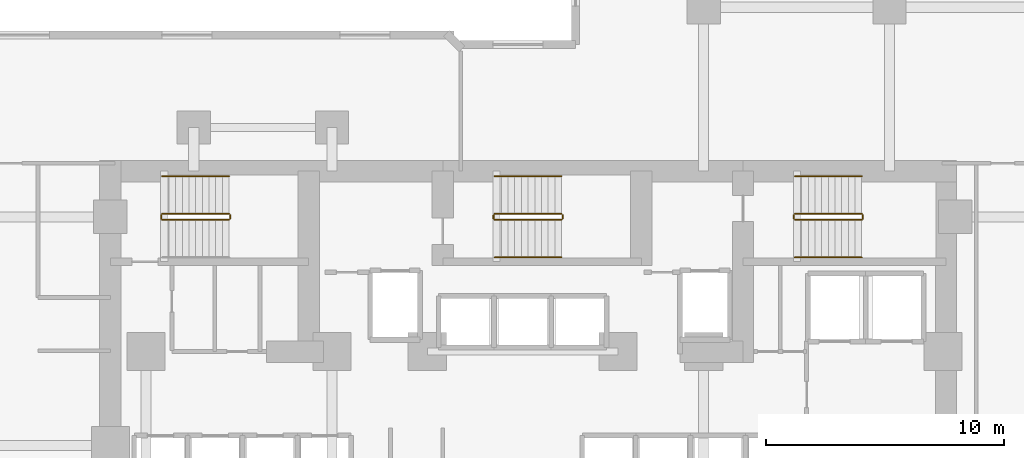
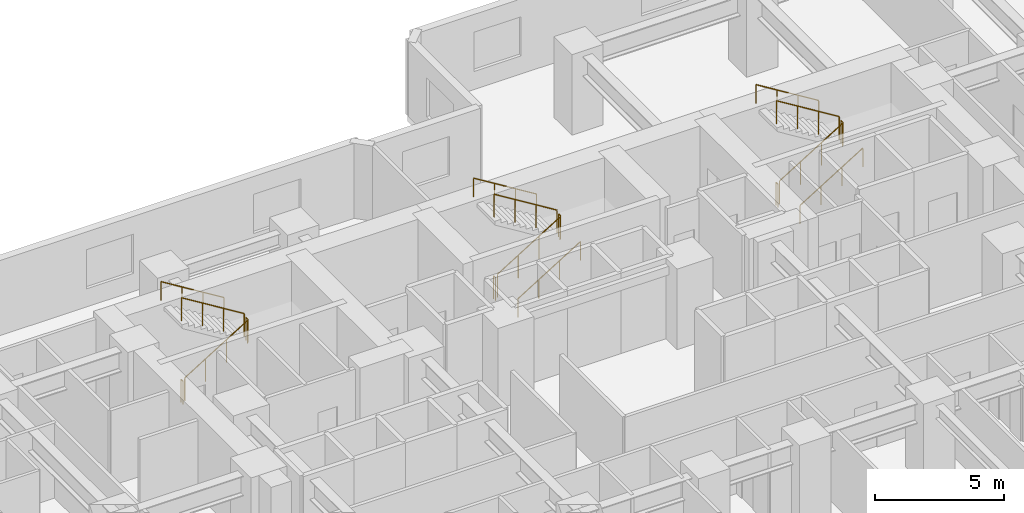
# One storey, part 12 of 12: 17 railings.
"""IFC4 building model written with IfcOpenShell, lengths in metres."""

from ifc_helpers import new_model, si_unit, direction, frame, origin, origin_2d, place, context, subcontext, project, spatial, circle, extrude, material, type_object, element, save


model = new_model("IFC4")

# Units and contexts
model_context = context("Model", 3, precision=1e-05, world=origin(), true_north=direction((0.0, 1.0)))
body_context = subcontext(model_context, "Body", "Model", "MODEL_VIEW")
ifc_project = project(units=[si_unit("LENGTHUNIT", "METRE"), si_unit("AREAUNIT", "SQUARE_METRE"), si_unit("VOLUMEUNIT", "CUBIC_METRE"), si_unit("PLANEANGLEUNIT", "RADIAN"), si_unit("MASSUNIT", "GRAM", prefix="KILO")], contexts=[model_context])

# Site, building, storey
site_placement = place(None, origin())
site = spatial("IfcSite", under=ifc_project, at=site_placement, CompositionType="ELEMENT")
building_placement = place(site_placement, origin())
building = spatial("IfcBuilding", under=site, at=building_placement, Name="Kestravale Grand Hotel", CompositionType="ELEMENT")
storey_placement = place(building_placement, frame((0.0, 0.0, 41.199951171875)))
storey = spatial("IfcBuildingStorey", under=building, at=storey_placement, Name="L09", CompositionType="ELEMENT", Elevation=41.199951171875)

# Railings
ifc_material_1 = material(Name="Painted tubular steel stair well guard", Category="steel")
railing_type_1 = type_object("IfcRailingType", Name="RL-ST-GRD1100", PredefinedType="GUARDRAIL", material=ifc_material_1)
railing_1_placement = place(storey_placement, frame((24.080078125, 38.280029296875, 0.1728515625)))
element("IfcRailing", 1, at=railing_1_placement, inside=storey, type_object=railing_type_1, Name="L09 ST-1 stair guard 1", PredefinedType="GUARDRAIL", context=body_context, shape_type="SweptSolid", body=[
    extrude(circle(Radius=0.02392578125, at=origin_2d()), frame((0.0, 0.0, 1.076171875), z_axis=(0.851069175582, 0.0, 0.525053576669), x_axis=(0.0, 1.0, 0.0)), (0.0, 0.0, 1.0), 3.289794921875),
    extrude(circle(Radius=0.02099609375, at=origin_2d()), origin(), (0.0, 0.0, 1.0), 1.052001953125),
    extrude(circle(Radius=0.02099609375, at=origin_2d()), frame((0.933349609375, 0.0, 0.57568359375)), (0.0, 0.0, 1.0), 1.052001953125),
    extrude(circle(Radius=0.02099609375, at=origin_2d()), frame((1.866455078125, 0.0, 1.151611328125)), (0.0, 0.0, 1.0), 1.052001953125),
    extrude(circle(Radius=0.02099609375, at=origin_2d()), frame((2.7998046875, 0.0, 1.727294921875)), (0.0, 0.0, 1.0), 1.052001953125),
])
railing_2_placement = place(storey_placement, frame((26.929931640625, 38.330078125, 1.900146484375)))
element("IfcRailing", 2, at=railing_2_placement, inside=storey, type_object=railing_type_1, Name="L09 ST-1 stair guard 2", PredefinedType="GUARDRAIL", context=body_context, shape_type="SweptSolid", body=[
    extrude(circle(Radius=0.02392578125, at=origin_2d()), frame((0.0, 0.0, 1.076171875), z_axis=(0.0, 1.0, 0.0), x_axis=(-1.0, 0.0, 0.0)), (0.0, 0.0, 1.0), 0.14990234375),
    extrude(circle(Radius=0.02099609375, at=origin_2d()), origin(), (0.0, 0.0, 1.0), 1.052001953125),
    extrude(circle(Radius=0.02099609375, at=origin_2d()), frame((0.0, 0.14990234375, 0.0)), (0.0, 0.0, 1.0), 1.052001953125),
])
railing_3_placement = place(storey_placement, frame((26.8798828125, 38.530029296875, 2.07275390625)))
element("IfcRailing", 3, at=railing_3_placement, inside=storey, type_object=railing_type_1, Name="L09 ST-1 stair guard 3", PredefinedType="GUARDRAIL", context=body_context, shape_type="SweptSolid", body=[
    extrude(circle(Radius=0.02392578125, at=origin_2d()), frame((0.0, 0.0, 1.076171875), z_axis=(-0.851069175582, 0.0, 0.525053576669), x_axis=(0.0, -1.0, 0.0)), (0.0, 0.0, 1.0), 3.289794921875),
    extrude(circle(Radius=0.02099609375, at=origin_2d()), origin(), (0.0, 0.0, 1.0), 1.052001953125),
    extrude(circle(Radius=0.02099609375, at=origin_2d()), frame((-0.933349609375, 0.0, 0.57568359375)), (0.0, 0.0, 1.0), 1.052001953125),
    extrude(circle(Radius=0.02099609375, at=origin_2d()), frame((-1.866455078125, 0.0, 1.151611328125)), (0.0, 0.0, 1.0), 1.052001953125),
    extrude(circle(Radius=0.02099609375, at=origin_2d()), frame((-2.7998046875, 0.0, 1.727294921875)), (0.0, 0.0, 1.0), 1.052001953125),
])
railing_4_placement = place(storey_placement, frame((24.030029296875, 38.330078125, 0.0)))
element("IfcRailing", 4, at=railing_4_placement, inside=storey, type_object=railing_type_1, Name="L09 ST-1 stair guard 4", PredefinedType="GUARDRAIL", context=body_context, shape_type="SweptSolid", body=[
    extrude(circle(Radius=0.02392578125, at=origin_2d()), frame((0.0, 0.0, 1.076171875), z_axis=(0.0, 1.0, 0.0), x_axis=(-1.0, 0.0, 0.0)), (0.0, 0.0, 1.0), 0.14990234375),
    extrude(circle(Radius=0.02099609375, at=origin_2d()), origin(), (0.0, 0.0, 1.0), 1.052001953125),
    extrude(circle(Radius=0.02099609375, at=origin_2d()), frame((0.0, 0.14990234375, 0.0)), (0.0, 0.0, 1.0), 1.052001953125),
])
railing_5_placement = place(storey_placement, frame((38.030029296875, 38.280029296875, 0.1728515625)))
element("IfcRailing", 5, at=railing_5_placement, inside=storey, type_object=railing_type_1, Name="L09 ST-2 stair guard 1", PredefinedType="GUARDRAIL", context=body_context, shape_type="SweptSolid", body=[
    extrude(circle(Radius=0.02392578125, at=origin_2d()), frame((0.0, 0.0, 1.076171875), z_axis=(0.851089632645, 0.0, 0.525020415988), x_axis=(0.0, 1.0, 0.0)), (0.0, 0.0, 1.0), 3.2900390625),
    extrude(circle(Radius=0.02099609375, at=origin_2d()), origin(), (0.0, 0.0, 1.0), 1.052001953125),
    extrude(circle(Radius=0.02099609375, at=origin_2d()), frame((0.933349609375, 0.0, 0.57568359375)), (0.0, 0.0, 1.0), 1.052001953125),
    extrude(circle(Radius=0.02099609375, at=origin_2d()), frame((1.86669921875, 0.0, 1.151611328125)), (0.0, 0.0, 1.0), 1.052001953125),
    extrude(circle(Radius=0.02099609375, at=origin_2d()), frame((2.800048828125, 0.0, 1.727294921875)), (0.0, 0.0, 1.0), 1.052001953125),
])
railing_6_placement = place(storey_placement, frame((40.8798828125, 38.330078125, 1.900146484375)))
element("IfcRailing", 6, at=railing_6_placement, inside=storey, type_object=railing_type_1, Name="L09 ST-2 stair guard 2", PredefinedType="GUARDRAIL", context=body_context, shape_type="SweptSolid", body=[
    extrude(circle(Radius=0.02392578125, at=origin_2d()), frame((0.0, 0.0, 1.076171875), z_axis=(0.0, 1.0, 0.0), x_axis=(-1.0, 0.0, 0.0)), (0.0, 0.0, 1.0), 0.14990234375),
    extrude(circle(Radius=0.02099609375, at=origin_2d()), origin(), (0.0, 0.0, 1.0), 1.052001953125),
    extrude(circle(Radius=0.02099609375, at=origin_2d()), frame((0.0, 0.14990234375, 0.0)), (0.0, 0.0, 1.0), 1.052001953125),
])
railing_7_placement = place(storey_placement, frame((40.830078125, 38.530029296875, 2.07275390625)))
element("IfcRailing", 7, at=railing_7_placement, inside=storey, type_object=railing_type_1, Name="L09 ST-2 stair guard 3", PredefinedType="GUARDRAIL", context=body_context, shape_type="SweptSolid", body=[
    extrude(circle(Radius=0.02392578125, at=origin_2d()), frame((0.0, 0.0, 1.076171875), z_axis=(-0.851089632645, 0.0, 0.525020415988), x_axis=(0.0, -1.0, 0.0)), (0.0, 0.0, 1.0), 3.2900390625),
    extrude(circle(Radius=0.02099609375, at=origin_2d()), origin(), (0.0, 0.0, 1.0), 1.052001953125),
    extrude(circle(Radius=0.02099609375, at=origin_2d()), frame((-0.933349609375, 0.0, 0.57568359375)), (0.0, 0.0, 1.0), 1.052001953125),
    extrude(circle(Radius=0.02099609375, at=origin_2d()), frame((-1.86669921875, 0.0, 1.151611328125)), (0.0, 0.0, 1.0), 1.052001953125),
    extrude(circle(Radius=0.02099609375, at=origin_2d()), frame((-2.800048828125, 0.0, 1.727294921875)), (0.0, 0.0, 1.0), 1.052001953125),
])
railing_8_placement = place(storey_placement, frame((37.97998046875, 38.330078125, 0.0)))
element("IfcRailing", 8, at=railing_8_placement, inside=storey, type_object=railing_type_1, Name="L09 ST-2 stair guard 4", PredefinedType="GUARDRAIL", context=body_context, shape_type="SweptSolid", body=[
    extrude(circle(Radius=0.02392578125, at=origin_2d()), frame((0.0, 0.0, 1.076171875), z_axis=(0.0, 1.0, 0.0), x_axis=(-1.0, 0.0, 0.0)), (0.0, 0.0, 1.0), 0.14990234375),
    extrude(circle(Radius=0.02099609375, at=origin_2d()), origin(), (0.0, 0.0, 1.0), 1.052001953125),
    extrude(circle(Radius=0.02099609375, at=origin_2d()), frame((0.0, 0.14990234375, 0.0)), (0.0, 0.0, 1.0), 1.052001953125),
])
railing_9_placement = place(storey_placement, frame((50.6298828125, 38.280029296875, 0.1728515625)))
element("IfcRailing", 9, at=railing_9_placement, inside=storey, type_object=railing_type_1, Name="L09 ST-3 stair guard 1", PredefinedType="GUARDRAIL", context=body_context, shape_type="SweptSolid", body=[
    extrude(circle(Radius=0.02392578125, at=origin_2d()), frame((0.0, 0.0, 1.076171875), z_axis=(0.851089632645, 0.0, 0.525020415988), x_axis=(0.0, 1.0, 0.0)), (0.0, 0.0, 1.0), 3.2900390625),
    extrude(circle(Radius=0.02099609375, at=origin_2d()), origin(), (0.0, 0.0, 1.0), 1.052001953125),
    extrude(circle(Radius=0.02099609375, at=origin_2d()), frame((0.933349609375, 0.0, 0.57568359375)), (0.0, 0.0, 1.0), 1.052001953125),
    extrude(circle(Radius=0.02099609375, at=origin_2d()), frame((1.86669921875, 0.0, 1.151611328125)), (0.0, 0.0, 1.0), 1.052001953125),
    extrude(circle(Radius=0.02099609375, at=origin_2d()), frame((2.800048828125, 0.0, 1.727294921875)), (0.0, 0.0, 1.0), 1.052001953125),
])
railing_10_placement = place(storey_placement, frame((53.47998046875, 38.330078125, 1.900146484375)))
element("IfcRailing", 10, at=railing_10_placement, inside=storey, type_object=railing_type_1, Name="L09 ST-3 stair guard 2", PredefinedType="GUARDRAIL", context=body_context, shape_type="SweptSolid", body=[
    extrude(circle(Radius=0.02392578125, at=origin_2d()), frame((0.0, 0.0, 1.076171875), z_axis=(0.0, 1.0, 0.0), x_axis=(-1.0, 0.0, 0.0)), (0.0, 0.0, 1.0), 0.14990234375),
    extrude(circle(Radius=0.02099609375, at=origin_2d()), origin(), (0.0, 0.0, 1.0), 1.052001953125),
    extrude(circle(Radius=0.02099609375, at=origin_2d()), frame((0.0, 0.14990234375, 0.0)), (0.0, 0.0, 1.0), 1.052001953125),
])
railing_11_placement = place(storey_placement, frame((53.429931640625, 38.530029296875, 2.07275390625)))
element("IfcRailing", 11, at=railing_11_placement, inside=storey, type_object=railing_type_1, Name="L09 ST-3 stair guard 3", PredefinedType="GUARDRAIL", context=body_context, shape_type="SweptSolid", body=[
    extrude(circle(Radius=0.02392578125, at=origin_2d()), frame((0.0, 0.0, 1.076171875), z_axis=(-0.851089632645, 0.0, 0.525020415988), x_axis=(0.0, -1.0, 0.0)), (0.0, 0.0, 1.0), 3.2900390625),
    extrude(circle(Radius=0.02099609375, at=origin_2d()), origin(), (0.0, 0.0, 1.0), 1.052001953125),
    extrude(circle(Radius=0.02099609375, at=origin_2d()), frame((-0.933349609375, 0.0, 0.57568359375)), (0.0, 0.0, 1.0), 1.052001953125),
    extrude(circle(Radius=0.02099609375, at=origin_2d()), frame((-1.86669921875, 0.0, 1.151611328125)), (0.0, 0.0, 1.0), 1.052001953125),
    extrude(circle(Radius=0.02099609375, at=origin_2d()), frame((-2.800048828125, 0.0, 1.727294921875)), (0.0, 0.0, 1.0), 1.052001953125),
])
railing_12_placement = place(storey_placement, frame((50.580078125, 38.330078125, 0.0)))
element("IfcRailing", 12, at=railing_12_placement, inside=storey, type_object=railing_type_1, Name="L09 ST-3 stair guard 4", PredefinedType="GUARDRAIL", context=body_context, shape_type="SweptSolid", body=[
    extrude(circle(Radius=0.02392578125, at=origin_2d()), frame((0.0, 0.0, 1.076171875), z_axis=(0.0, 1.0, 0.0), x_axis=(-1.0, 0.0, 0.0)), (0.0, 0.0, 1.0), 0.14990234375),
    extrude(circle(Radius=0.02099609375, at=origin_2d()), origin(), (0.0, 0.0, 1.0), 1.052001953125),
    extrude(circle(Radius=0.02099609375, at=origin_2d()), frame((0.0, 0.14990234375, 0.0)), (0.0, 0.0, 1.0), 1.052001953125),
])
ifc_material_2 = material(Name="Brushed stainless steel wall handrail", Category="steel")
railing_type_2 = type_object("IfcRailingType", Name="RL-ST-HND900", PredefinedType="HANDRAIL", material=ifc_material_2)
railing_13_placement = place(storey_placement, frame((26.8798828125, 40.110107421875, 2.07275390625)))
element("IfcRailing", 13, at=railing_13_placement, inside=storey, type_object=railing_type_2, Name="L09 ST-1 stair handrail 2", PredefinedType="HANDRAIL", context=body_context, shape_type="SweptSolid", body=[
    extrude(circle(Radius=0.02392578125, at=origin_2d()), frame((0.0, 0.0, 0.8759765625), z_axis=(-0.851069175582, 0.0, 0.525053576669), x_axis=(0.0, -1.0, 0.0)), (0.0, 0.0, 1.0), 3.289794921875),
    extrude(circle(Radius=0.02099609375, at=origin_2d()), origin(), (0.0, 0.0, 1.0), 0.851806640625),
    extrude(circle(Radius=0.02099609375, at=origin_2d()), frame((-0.933349609375, 0.0, 0.57568359375)), (0.0, 0.0, 1.0), 0.851806640625),
    extrude(circle(Radius=0.02099609375, at=origin_2d()), frame((-1.866455078125, 0.0, 1.151611328125)), (0.0, 0.0, 1.0), 0.851806640625),
    extrude(circle(Radius=0.02099609375, at=origin_2d()), frame((-2.7998046875, 0.0, 1.727294921875)), (0.0, 0.0, 1.0), 0.851806640625),
])
railing_14_placement = place(storey_placement, frame((38.030029296875, 36.699951171875, 0.1728515625)))
element("IfcRailing", 14, at=railing_14_placement, inside=storey, type_object=railing_type_2, Name="L09 ST-2 stair handrail 1", PredefinedType="HANDRAIL", context=body_context, shape_type="SweptSolid", body=[
    extrude(circle(Radius=0.02392578125, at=origin_2d()), frame((0.0, 0.0, 0.8759765625), z_axis=(0.851089632645, 0.0, 0.525020415988), x_axis=(0.0, 1.0, 0.0)), (0.0, 0.0, 1.0), 3.2900390625),
    extrude(circle(Radius=0.02099609375, at=origin_2d()), origin(), (0.0, 0.0, 1.0), 0.851806640625),
    extrude(circle(Radius=0.02099609375, at=origin_2d()), frame((0.933349609375, 0.0, 0.57568359375)), (0.0, 0.0, 1.0), 0.851806640625),
    extrude(circle(Radius=0.02099609375, at=origin_2d()), frame((1.86669921875, 0.0, 1.151611328125)), (0.0, 0.0, 1.0), 0.851806640625),
    extrude(circle(Radius=0.02099609375, at=origin_2d()), frame((2.800048828125, 0.0, 1.727294921875)), (0.0, 0.0, 1.0), 0.851806640625),
])
railing_15_placement = place(storey_placement, frame((40.830078125, 40.110107421875, 2.07275390625)))
element("IfcRailing", 15, at=railing_15_placement, inside=storey, type_object=railing_type_2, Name="L09 ST-2 stair handrail 2", PredefinedType="HANDRAIL", context=body_context, shape_type="SweptSolid", body=[
    extrude(circle(Radius=0.02392578125, at=origin_2d()), frame((0.0, 0.0, 0.8759765625), z_axis=(-0.851089632645, 0.0, 0.525020415988), x_axis=(0.0, -1.0, 0.0)), (0.0, 0.0, 1.0), 3.2900390625),
    extrude(circle(Radius=0.02099609375, at=origin_2d()), origin(), (0.0, 0.0, 1.0), 0.851806640625),
    extrude(circle(Radius=0.02099609375, at=origin_2d()), frame((-0.933349609375, 0.0, 0.57568359375)), (0.0, 0.0, 1.0), 0.851806640625),
    extrude(circle(Radius=0.02099609375, at=origin_2d()), frame((-1.86669921875, 0.0, 1.151611328125)), (0.0, 0.0, 1.0), 0.851806640625),
    extrude(circle(Radius=0.02099609375, at=origin_2d()), frame((-2.800048828125, 0.0, 1.727294921875)), (0.0, 0.0, 1.0), 0.851806640625),
])
railing_16_placement = place(storey_placement, frame((50.6298828125, 36.699951171875, 0.1728515625)))
element("IfcRailing", 16, at=railing_16_placement, inside=storey, type_object=railing_type_2, Name="L09 ST-3 stair handrail 1", PredefinedType="HANDRAIL", context=body_context, shape_type="SweptSolid", body=[
    extrude(circle(Radius=0.02392578125, at=origin_2d()), frame((0.0, 0.0, 0.8759765625), z_axis=(0.851089632645, 0.0, 0.525020415988), x_axis=(0.0, 1.0, 0.0)), (0.0, 0.0, 1.0), 3.2900390625),
    extrude(circle(Radius=0.02099609375, at=origin_2d()), origin(), (0.0, 0.0, 1.0), 0.851806640625),
    extrude(circle(Radius=0.02099609375, at=origin_2d()), frame((0.933349609375, 0.0, 0.57568359375)), (0.0, 0.0, 1.0), 0.851806640625),
    extrude(circle(Radius=0.02099609375, at=origin_2d()), frame((1.86669921875, 0.0, 1.151611328125)), (0.0, 0.0, 1.0), 0.851806640625),
    extrude(circle(Radius=0.02099609375, at=origin_2d()), frame((2.800048828125, 0.0, 1.727294921875)), (0.0, 0.0, 1.0), 0.851806640625),
])
railing_17_placement = place(storey_placement, frame((53.429931640625, 40.110107421875, 2.07275390625)))
element("IfcRailing", 17, at=railing_17_placement, inside=storey, type_object=railing_type_2, Name="L09 ST-3 stair handrail 2", PredefinedType="HANDRAIL", context=body_context, shape_type="SweptSolid", body=[
    extrude(circle(Radius=0.02392578125, at=origin_2d()), frame((0.0, 0.0, 0.8759765625), z_axis=(-0.851089632645, 0.0, 0.525020415988), x_axis=(0.0, -1.0, 0.0)), (0.0, 0.0, 1.0), 3.2900390625),
    extrude(circle(Radius=0.02099609375, at=origin_2d()), origin(), (0.0, 0.0, 1.0), 0.851806640625),
    extrude(circle(Radius=0.02099609375, at=origin_2d()), frame((-0.933349609375, 0.0, 0.57568359375)), (0.0, 0.0, 1.0), 0.851806640625),
    extrude(circle(Radius=0.02099609375, at=origin_2d()), frame((-1.86669921875, 0.0, 1.151611328125)), (0.0, 0.0, 1.0), 0.851806640625),
    extrude(circle(Radius=0.02099609375, at=origin_2d()), frame((-2.800048828125, 0.0, 1.727294921875)), (0.0, 0.0, 1.0), 0.851806640625),
])

save(model, "model.ifc")
